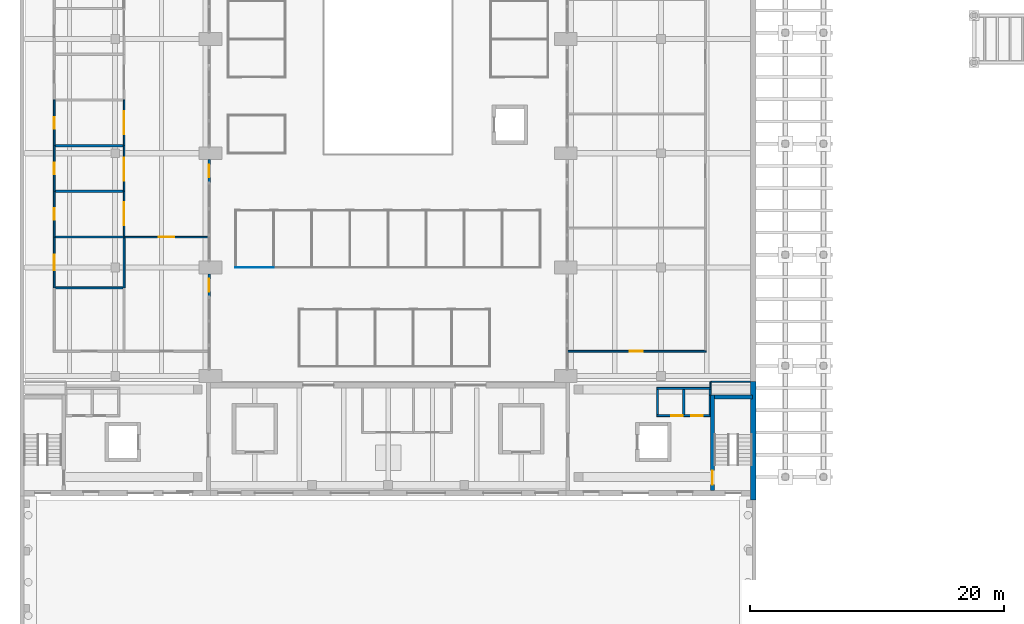
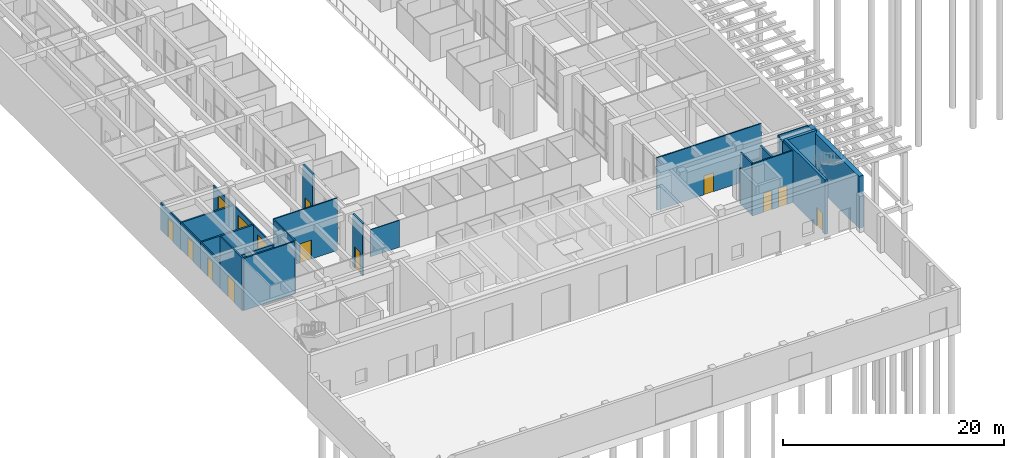
# One storey, part 30 of 51: 28 walls, 14 doors, 14 openings.
"""IFC4 building model written with IfcOpenShell, lengths in metres."""

from ifc_helpers import new_model, si_unit, direction, frame, frame_2d, origin, place, context, subcontext, project, spatial, rectangle, extrude, material, layer, layer_set, type_object, element, fill, save


model = new_model("IFC4")

# Units and contexts
model_context = context("Model", 3, precision=1e-05, world=origin(), true_north=direction((0.0, 1.0)))
body_context = subcontext(model_context, "Body", "Model", "MODEL_VIEW")
ifc_project = project(units=[si_unit("LENGTHUNIT", "METRE"), si_unit("AREAUNIT", "SQUARE_METRE"), si_unit("VOLUMEUNIT", "CUBIC_METRE"), si_unit("PLANEANGLEUNIT", "RADIAN"), si_unit("MASSUNIT", "GRAM", prefix="KILO")], contexts=[model_context])

# Site, building, storey
site_placement = place(None, origin())
site = spatial("IfcSite", under=ifc_project, at=site_placement, CompositionType="ELEMENT")
building_placement = place(site_placement, origin())
building = spatial("IfcBuilding", under=site, at=building_placement, Name="Elmora Arch Market Hall", CompositionType="ELEMENT")
storey_placement = place(building_placement, origin())
storey = spatial("IfcBuildingStorey", under=building, at=storey_placement, Name="L00", CompositionType="ELEMENT", Elevation=0.0)

# Wall
ifc_material_1 = material(Name="Blockwork", Category="masonry")
ifc_layer_1 = layer(ifc_material_1, 0.10009765625)
ifc_layer_set_1 = layer_set([ifc_layer_1], Name="Blockwork")
wall_type_1 = type_object("IfcWallType", Name="Blockwork partition 100 EI 120", PredefinedType="PARTITIONING", material=ifc_layer_set_1)
wall_1_placement = place(storey_placement, frame((54.35009765625, 24.39990234375, 0.0), z_axis=(0.0, 0.0, 1.0), x_axis=(0.0, 1.0, 0.0)))
element("IfcWall", 1, at=wall_1_placement, inside=storey, type_object=wall_type_1, Name="Riser wall L00 33", PredefinedType="PARTITIONING", context=body_context, shape_type="SweptSolid", body=[
    extrude(rectangle(XDim=1.550048828125, YDim=0.10009765625, at=frame_2d((0.77490234375, 0.0))), origin(), (0.0, 0.0, 1.0), 5.75),
])

# Wall, openings, doors
ifc_material_2 = material(Name="Blockwork", Category="masonry")
ifc_layer_2 = layer(ifc_material_2, 0.14990234375)
ifc_layer_set_2 = layer_set([ifc_layer_2], Name="Blockwork")
wall_type_2 = type_object("IfcWallType", Name="Blockwork partition 150 EI 120", PredefinedType="PARTITIONING", material=ifc_layer_set_2)
wall_2_placement = place(storey_placement, frame((50.14990234375, 24.324951171875, 0.0), z_axis=(0.0, 0.0, 1.0), x_axis=(1.0, 0.0, 0.0)))
wall_2 = element("IfcWall", 2, at=wall_2_placement, inside=storey, type_object=wall_type_2, Name="Riser wall L00 29", PredefinedType="PARTITIONING", context=body_context, shape_type="SweptSolid", body=[
    extrude(rectangle(XDim=4.25, YDim=0.14990234375, at=frame_2d((2.125, 0.0))), origin(), (0.0, 0.0, 1.0), 5.75),
])
opening_1_placement = place(wall_2_placement, frame((1.14990234375, 0.0, 0.0)))
opening_1 = element("IfcOpeningElement", 3, at=opening_1_placement, cuts=wall_2, Name="Opening D-L00-007", PredefinedType="OPENING", context=body_context, shape_type="SweptSolid", body=[
    extrude(rectangle(XDim=0.89990234375, YDim=2.10009765625, at=frame_2d((0.449951171875, 1.050048828125))), frame((0.0, 0.0849609375, 0.0), z_axis=(0.0, -1.0, 0.0), x_axis=(1.0, 0.0, 0.0)), (0.0, 0.0, 1.0), 0.169921875),
])
opening_2_placement = place(wall_2_placement, frame((2.75, 0.0, 0.0)))
opening_2 = element("IfcOpeningElement", 4, at=opening_2_placement, cuts=wall_2, Name="Opening D-L00-008", PredefinedType="OPENING", context=body_context, shape_type="SweptSolid", body=[
    extrude(rectangle(XDim=0.89990234375, YDim=2.10009765625, at=frame_2d((0.449951171875, 1.050048828125))), frame((0.0, 0.0849609375, 0.0), z_axis=(0.0, -1.0, 0.0), x_axis=(1.0, 0.0, 0.0)), (0.0, 0.0, 1.0), 0.169921875),
])
ifc_material_3 = material(Name="Steel ASTM A653 galvanised", Category="steel")
door_type_1 = type_object("IfcDoorType", Name="Door 900 x 2100 FD90", OperationType="SINGLE_SWING_LEFT", PredefinedType="DOOR", material=ifc_material_3)
door_1_placement = place(opening_1_placement, origin())
door_1 = element("IfcDoor", 5, at=door_1_placement, inside=storey, type_object=door_type_1, Name="Riser access door D-L00-007", OperationType="SINGLE_SWING_RIGHT", OverallHeight=2.10009765625, OverallWidth=0.89990234375, PredefinedType="DOOR", context=body_context, shape_type="SweptSolid", body=[
    extrude(rectangle(XDim=0.89990234375, YDim=2.10009765625, at=frame_2d((0.449951171875, 1.050048828125))), frame((0.0, 0.02490234375, 0.0), z_axis=(0.0, -1.0, 0.0), x_axis=(1.0, 0.0, 0.0)), (0.0, 0.0, 1.0), 0.050048828125),
])
fill(opening_1, door_1)
door_2_placement = place(opening_2_placement, origin())
door_2 = element("IfcDoor", 6, at=door_2_placement, inside=storey, type_object=door_type_1, Name="Riser access door D-L00-008", OperationType="SINGLE_SWING_LEFT", OverallHeight=2.10009765625, OverallWidth=0.89990234375, PredefinedType="DOOR", context=body_context, shape_type="SweptSolid", body=[
    extrude(rectangle(XDim=0.89990234375, YDim=2.10009765625, at=frame_2d((0.449951171875, 1.050048828125))), frame((0.0, 0.02490234375, 0.0), z_axis=(0.0, -1.0, 0.0), x_axis=(1.0, 0.0, 0.0)), (0.0, 0.0, 1.0), 0.050048828125),
])
fill(opening_2, door_2)

# Walls
wall_3_placement = place(storey_placement, frame((50.22509765625, 24.39990234375, 0.0), z_axis=(0.0, 0.0, 1.0), x_axis=(0.0, 1.0, 0.0)))
element("IfcWall", 7, at=wall_3_placement, inside=storey, type_object=wall_type_2, Name="Riser wall L00 30", PredefinedType="PARTITIONING", context=body_context, shape_type="SweptSolid", body=[
    extrude(rectangle(XDim=2.0, YDim=0.14990234375, at=frame_2d((1.0, 0.0))), origin(), (0.0, 0.0, 1.0), 5.75),
])
wall_4_placement = place(storey_placement, frame((50.14990234375, 26.47509765625, 0.0), z_axis=(0.0, 0.0, 1.0), x_axis=(1.0, 0.0, 0.0)))
element("IfcWall", 8, at=wall_4_placement, inside=storey, type_object=wall_type_2, Name="Riser wall L00 31", PredefinedType="PARTITIONING", context=body_context, shape_type="SweptSolid", body=[
    extrude(rectangle(XDim=4.300048828125, YDim=0.14990234375, at=frame_2d((2.14990234375, 0.0))), origin(), (0.0, 0.0, 1.0), 4.35009765625),
])
wall_5_placement = place(storey_placement, frame((54.375, 25.949951171875, 0.0), z_axis=(0.0, 0.0, 1.0), x_axis=(0.0, 1.0, 0.0)))
element("IfcWall", 9, at=wall_5_placement, inside=storey, type_object=wall_type_2, Name="Riser wall L00 34", PredefinedType="PARTITIONING", context=body_context, shape_type="SweptSolid", body=[
    extrude(rectangle(XDim=0.449951171875, YDim=0.14990234375, at=frame_2d((0.22509765625, 0.0))), origin(), (0.0, 0.0, 1.0), 5.75),
])
ifc_material_4 = material(Name="Blockwork", Category="masonry")
ifc_layer_3 = layer(ifc_material_4, 0.199951171875)
ifc_layer_set_3 = layer_set([ifc_layer_3], Name="Blockwork")
wall_type_3 = type_object("IfcWallType", Name="Blockwork partition 200 EI 120", PredefinedType="PARTITIONING", material=ifc_layer_set_3)
wall_6_placement = place(storey_placement, frame((52.300048828125, 24.39990234375, 0.0), z_axis=(0.0, 0.0, 1.0), x_axis=(0.0, 1.0, 0.0)))
element("IfcWall", 10, at=wall_6_placement, inside=storey, type_object=wall_type_3, Name="Riser wall L00 32", PredefinedType="PARTITIONING", context=body_context, shape_type="SweptSolid", body=[
    extrude(rectangle(XDim=2.0, YDim=0.199951171875, at=frame_2d((1.0, 0.0))), origin(), (0.0, 0.0, 1.0), 5.75),
])
ifc_material_5 = material(Name="Concrete C40/50", Category="concrete")
ifc_layer_4 = layer(ifc_material_5, 0.449951171875)
ifc_layer_set_4 = layer_set([ifc_layer_4], Name="Concrete C40/50")
wall_type_4 = type_object("IfcWallType", Name="Board-marked concrete wall 450", PredefinedType="SOLIDWALL", material=ifc_layer_set_4)
wall_7_placement = place(storey_placement, frame((57.77490234375, 27.0, 0.0), z_axis=(0.0, 0.0, 1.0), x_axis=(0.0, -1.0, 0.0)))
element("IfcWall", 11, at=wall_7_placement, inside=storey, type_object=wall_type_4, Name="Facade wall east SE L00", PredefinedType="SOLIDWALL", context=body_context, shape_type="SweptSolid", body=[
    extrude(rectangle(XDim=9.300048828125, YDim=0.449951171875, at=frame_2d((4.64990234375, 0.0))), origin(), (0.0, 0.0, 1.0), 5.75),
])
ifc_material_6 = material(Name="Insulated metal panel")
ifc_layer_5 = layer(ifc_material_6, 0.14990234375)
ifc_layer_set_5 = layer_set([ifc_layer_5], Name="Insulated metal panel")
wall_type_5 = type_object("IfcWallType", Name="Cold store panel 150 EI 60", PredefinedType="PARTITIONING", material=ifc_layer_set_5)
wall_8_placement = place(storey_placement, frame((2.77490234375, 34.39990234375, 0.0), z_axis=(0.0, 0.0, 1.0), x_axis=(1.0, 0.0, 0.0)))
element("IfcWall", 12, at=wall_8_placement, inside=storey, type_object=wall_type_5, Name="Partition PT-L00-018", PredefinedType="PARTITIONING", context=body_context, shape_type="SweptSolid", body=[
    extrude(rectangle(XDim=5.337646484375, YDim=0.14990234375, at=frame_2d((2.6689453125, 0.0))), origin(), (0.0, 0.0, 1.0), 5.800048828125),
])

# Wall, opening, door
wall_9_placement = place(storey_placement, frame((2.699951171875, 34.39990234375, 0.0), z_axis=(0.0, 0.0, 1.0), x_axis=(0.0, 1.0, 0.0)))
wall_9 = element("IfcWall", 13, at=wall_9_placement, inside=storey, type_object=wall_type_5, Name="Partition PT-L00-131", PredefinedType="PARTITIONING", context=body_context, shape_type="SweptSolid", body=[
    extrude(rectangle(XDim=4.0, YDim=0.14990234375, at=frame_2d((2.0, 0.0))), origin(), (0.0, 0.0, 1.0), 5.800048828125),
])
opening_3_placement = place(wall_9_placement, frame((1.39990234375, 0.0, 0.0)))
opening_3 = element("IfcOpeningElement", 14, at=opening_3_placement, cuts=wall_9, Name="Opening D-L00-017", PredefinedType="OPENING", context=body_context, shape_type="SweptSolid", body=[
    extrude(rectangle(XDim=1.199951171875, YDim=2.39990234375, at=frame_2d((0.60009765625, 1.199951171875))), frame((0.0, 0.0849609375, 0.0), z_axis=(0.0, -1.0, 0.0), x_axis=(1.0, 0.0, 0.0)), (0.0, 0.0, 1.0), 0.169921875),
])
ifc_material_7 = material(Name="Insulated door panel")
door_type_2 = type_object("IfcDoorType", Name="Cold store door 1200 x 2400 FD45", OperationType="SLIDING_TO_LEFT", PredefinedType="DOOR", material=ifc_material_7)
door_3_placement = place(opening_3_placement, origin())
door_3 = element("IfcDoor", 15, at=door_3_placement, inside=storey, type_object=door_type_2, Name="D-L00-017", OperationType="SLIDING_TO_LEFT", OverallHeight=2.39990234375, OverallWidth=1.199951171875, PredefinedType="DOOR", context=body_context, shape_type="SweptSolid", body=[
    extrude(rectangle(XDim=1.199951171875, YDim=2.39990234375, at=frame_2d((0.60009765625, 1.199951171875))), frame((0.0, 0.02490234375, 0.0), z_axis=(0.0, -1.0, 0.0), x_axis=(1.0, 0.0, 0.0)), (0.0, 0.0, 1.0), 0.050048828125),
])
fill(opening_3, door_3)

# Wall
wall_10_placement = place(storey_placement, frame((8.199951171875, 34.39990234375, 0.0), z_axis=(0.0, 0.0, 1.0), x_axis=(0.0, 1.0, 0.0)))
element("IfcWall", 16, at=wall_10_placement, inside=storey, type_object=wall_type_5, Name="Partition PT-L00-150", PredefinedType="PARTITIONING", context=body_context, shape_type="SweptSolid", body=[
    extrude(rectangle(XDim=3.925048828125, YDim=0.14990234375, at=frame_2d((1.96240234375, 0.0))), origin(), (0.0, 0.0, 1.0), 5.800048828125),
])

# Wall, opening, door
ifc_material_8 = material(Name="Concrete C40/50", Category="concrete")
ifc_layer_6 = layer(ifc_material_8, 0.199951171875)
ifc_layer_set_6 = layer_set([ifc_layer_6], Name="Concrete C40/50")
wall_type_6 = type_object("IfcWallType", Name="Concrete shopfront pier 200", PredefinedType="PARTITIONING", material=ifc_layer_set_6)
wall_11_placement = place(storey_placement, frame((14.89990234375, 35.5, 0.0), z_axis=(0.0, 0.0, 1.0), x_axis=(0.0, -1.0, 0.0)))
wall_11 = element("IfcWall", 17, at=wall_11_placement, inside=storey, type_object=wall_type_6, Name="Shopfront pier W 1", PredefinedType="PARTITIONING", context=body_context, shape_type="SweptSolid", body=[
    extrude(rectangle(XDim=1.800048828125, YDim=0.199951171875, at=frame_2d((0.89990234375, 0.0))), origin(), (0.0, 0.0, 1.0), 5.800048828125),
])
opening_4_placement = place(wall_11_placement, frame((0.39990234375, 0.0, 0.0)))
opening_4 = element("IfcOpeningElement", 18, at=opening_4_placement, cuts=wall_11, Name="Opening SD-W01", PredefinedType="OPENING", context=body_context, shape_type="SweptSolid", body=[
    extrude(rectangle(XDim=1.0, YDim=2.39990234375, at=frame_2d((0.5, 1.199951171875))), frame((0.0, 0.10986328125, 0.0), z_axis=(0.0, -1.0, 0.0), x_axis=(1.0, 0.0, 0.0)), (0.0, 0.0, 1.0), 0.219970703125),
])
ifc_material_9 = material(Name="Glazed aluminium", Category="aluminium")
door_type_3 = type_object("IfcDoorType", Name="Shop door 1000x2400", OperationType="SINGLE_SWING_LEFT", PredefinedType="DOOR", material=ifc_material_9)
door_4_placement = place(opening_4_placement, frame((1.0, 0.0, 0.0), z_axis=(0.0, 0.0, 1.0), x_axis=(-1.0, 0.0, 0.0)))
door_4 = element("IfcDoor", 19, at=door_4_placement, inside=storey, type_object=door_type_3, Name="Shop door W01", OperationType="SINGLE_SWING_RIGHT", OverallHeight=2.39990234375, OverallWidth=1.0, PredefinedType="DOOR", context=body_context, shape_type="SweptSolid", body=[
    extrude(rectangle(XDim=1.0, YDim=2.39990234375, at=frame_2d((0.5, 1.199951171875))), frame((0.0, 0.02490234375, 0.0), z_axis=(0.0, -1.0, 0.0), x_axis=(1.0, 0.0, 0.0)), (0.0, 0.0, 1.0), 0.050048828125),
])
fill(opening_4, door_4)

wall_12_placement = place(storey_placement, frame((14.89990234375, 44.5, 0.0), z_axis=(0.0, 0.0, 1.0), x_axis=(0.0, -1.0, 0.0)))
wall_12 = element("IfcWall", 20, at=wall_12_placement, inside=storey, type_object=wall_type_6, Name="Shopfront pier W 2", PredefinedType="PARTITIONING", context=body_context, shape_type="SweptSolid", body=[
    extrude(rectangle(XDim=1.800048828125, YDim=0.199951171875, at=frame_2d((0.89990234375, 0.0))), origin(), (0.0, 0.0, 1.0), 5.800048828125),
])
opening_5_placement = place(wall_12_placement, frame((0.39990234375, 0.0, 0.0)))
opening_5 = element("IfcOpeningElement", 21, at=opening_5_placement, cuts=wall_12, Name="Opening SD-W02", PredefinedType="OPENING", context=body_context, shape_type="SweptSolid", body=[
    extrude(rectangle(XDim=1.0, YDim=2.39990234375, at=frame_2d((0.5, 1.199951171875))), frame((0.0, 0.10986328125, 0.0), z_axis=(0.0, -1.0, 0.0), x_axis=(1.0, 0.0, 0.0)), (0.0, 0.0, 1.0), 0.219970703125),
])
door_5_placement = place(opening_5_placement, origin())
door_5 = element("IfcDoor", 22, at=door_5_placement, inside=storey, type_object=door_type_3, Name="Shop door W02", OperationType="SINGLE_SWING_LEFT", OverallHeight=2.39990234375, OverallWidth=1.0, PredefinedType="DOOR", context=body_context, shape_type="SweptSolid", body=[
    extrude(rectangle(XDim=1.0, YDim=2.39990234375, at=frame_2d((0.5, 1.199951171875))), frame((0.0, 0.02490234375, 0.0), z_axis=(0.0, -1.0, 0.0), x_axis=(1.0, 0.0, 0.0)), (0.0, 0.0, 1.0), 0.050048828125),
])
fill(opening_5, door_5)

ifc_material_10 = material(Name="Gypsum board on metal studs")
ifc_layer_7 = layer(ifc_material_10, 0.125)
ifc_layer_set_7 = layer_set([ifc_layer_7], Name="Gypsum board on metal studs")
wall_type_7 = type_object("IfcWallType", Name="Enclosure partition 125 (3.0 m) EI 60", PredefinedType="PARTITIONING", material=ifc_layer_set_7)
wall_13_placement = place(storey_placement, frame((2.699951171875, 38.39990234375, 0.0), z_axis=(0.0, 0.0, 1.0), x_axis=(0.0, 1.0, 0.0)))
wall_13 = element("IfcWall", 23, at=wall_13_placement, inside=storey, type_object=wall_type_7, Name="Partition PT-L00-132", PredefinedType="PARTITIONING", context=body_context, shape_type="SweptSolid", body=[
    extrude(rectangle(XDim=3.60009765625, YDim=0.125, at=frame_2d((1.800048828125, 0.0))), origin(), (0.0, 0.0, 1.0), 3.0),
])
opening_6_placement = place(wall_13_placement, frame((1.35009765625, 0.0, 0.0)))
opening_6 = element("IfcOpeningElement", 24, at=opening_6_placement, cuts=wall_13, Name="Opening D-L00-019", PredefinedType="OPENING", context=body_context, shape_type="SweptSolid", body=[
    extrude(rectangle(XDim=0.89990234375, YDim=2.10009765625, at=frame_2d((0.449951171875, 1.050048828125))), frame((0.0, 0.072509765625, 0.0), z_axis=(0.0, -1.0, 0.0), x_axis=(1.0, 0.0, 0.0)), (0.0, 0.0, 1.0), 0.14501953125),
])
ifc_material_11 = material(Name="Steel ASTM A653 galvanised", Category="steel")
door_type_4 = type_object("IfcDoorType", Name="Door 900 x 2100 FD45", OperationType="SINGLE_SWING_LEFT", PredefinedType="DOOR", material=ifc_material_11)
door_6_placement = place(opening_6_placement, frame((0.89990234375, 0.0, 0.0), z_axis=(0.0, 0.0, 1.0), x_axis=(-1.0, 0.0, 0.0)))
door_6 = element("IfcDoor", 25, at=door_6_placement, inside=storey, type_object=door_type_4, Name="D-L00-019", OperationType="SINGLE_SWING_LEFT", OverallHeight=2.10009765625, OverallWidth=0.89990234375, PredefinedType="DOOR", context=body_context, shape_type="SweptSolid", body=[
    extrude(rectangle(XDim=0.89990234375, YDim=2.10009765625, at=frame_2d((0.449951171875, 1.050048828125))), frame((0.0, 0.02490234375, 0.0), z_axis=(0.0, -1.0, 0.0), x_axis=(1.0, 0.0, 0.0)), (0.0, 0.0, 1.0), 0.050048828125),
])
fill(opening_6, door_6)

wall_14_placement = place(storey_placement, frame((2.699951171875, 42.0, 0.0), z_axis=(0.0, 0.0, 1.0), x_axis=(0.0, 1.0, 0.0)))
wall_14 = element("IfcWall", 26, at=wall_14_placement, inside=storey, type_object=wall_type_7, Name="Partition PT-L00-133", PredefinedType="PARTITIONING", context=body_context, shape_type="SweptSolid", body=[
    extrude(rectangle(XDim=3.60009765625, YDim=0.125, at=frame_2d((1.800048828125, 0.0))), origin(), (0.0, 0.0, 1.0), 3.0),
])
opening_7_placement = place(wall_14_placement, frame((1.35009765625, 0.0, 0.0)))
opening_7 = element("IfcOpeningElement", 27, at=opening_7_placement, cuts=wall_14, Name="Opening D-L00-030", PredefinedType="OPENING", context=body_context, shape_type="SweptSolid", body=[
    extrude(rectangle(XDim=0.89990234375, YDim=2.10009765625, at=frame_2d((0.449951171875, 1.050048828125))), frame((0.0, 0.072509765625, 0.0), z_axis=(0.0, -1.0, 0.0), x_axis=(1.0, 0.0, 0.0)), (0.0, 0.0, 1.0), 0.14501953125),
])
door_7_placement = place(opening_7_placement, frame((0.89990234375, 0.0, 0.0), z_axis=(0.0, 0.0, 1.0), x_axis=(-1.0, 0.0, 0.0)))
door_7 = element("IfcDoor", 28, at=door_7_placement, inside=storey, type_object=door_type_4, Name="D-L00-030", OperationType="SINGLE_SWING_RIGHT", OverallHeight=2.10009765625, OverallWidth=0.89990234375, PredefinedType="DOOR", context=body_context, shape_type="SweptSolid", body=[
    extrude(rectangle(XDim=0.89990234375, YDim=2.10009765625, at=frame_2d((0.449951171875, 1.050048828125))), frame((0.0, 0.02490234375, 0.0), z_axis=(0.0, -1.0, 0.0), x_axis=(1.0, 0.0, 0.0)), (0.0, 0.0, 1.0), 0.050048828125),
])
fill(opening_7, door_7)

wall_15_placement = place(storey_placement, frame((2.699951171875, 45.60009765625, 0.0), z_axis=(0.0, 0.0, 1.0), x_axis=(0.0, 1.0, 0.0)))
wall_15 = element("IfcWall", 29, at=wall_15_placement, inside=storey, type_object=wall_type_7, Name="Partition PT-L00-134", PredefinedType="PARTITIONING", context=body_context, shape_type="SweptSolid", body=[
    extrude(rectangle(XDim=3.599853515625, YDim=0.125, at=frame_2d((1.7998046875, 0.0))), origin(), (0.0, 0.0, 1.0), 3.0),
])
opening_8_placement = place(wall_15_placement, frame((1.35009765625, 0.0, 0.0)))
opening_8 = element("IfcOpeningElement", 30, at=opening_8_placement, cuts=wall_15, Name="Opening D-L00-032", PredefinedType="OPENING", context=body_context, shape_type="SweptSolid", body=[
    extrude(rectangle(XDim=0.89990234375, YDim=2.10009765625, at=frame_2d((0.449951171875, 1.050048828125))), frame((0.0, 0.072509765625, 0.0), z_axis=(0.0, -1.0, 0.0), x_axis=(1.0, 0.0, 0.0)), (0.0, 0.0, 1.0), 0.14501953125),
])
door_8_placement = place(opening_8_placement, frame((0.89990234375, 0.0, 0.0), z_axis=(0.0, 0.0, 1.0), x_axis=(-1.0, 0.0, 0.0)))
door_8 = element("IfcDoor", 31, at=door_8_placement, inside=storey, type_object=door_type_4, Name="D-L00-032", OperationType="SINGLE_SWING_RIGHT", OverallHeight=2.10009765625, OverallWidth=0.89990234375, PredefinedType="DOOR", context=body_context, shape_type="SweptSolid", body=[
    extrude(rectangle(XDim=0.89990234375, YDim=2.10009765625, at=frame_2d((0.449951171875, 1.050048828125))), frame((0.0, 0.02490234375, 0.0), z_axis=(0.0, -1.0, 0.0), x_axis=(1.0, 0.0, 0.0)), (0.0, 0.0, 1.0), 0.050048828125),
])
fill(opening_8, door_8)

wall_16_placement = place(storey_placement, frame((8.199951171875, 38.47509765625, 0.0), z_axis=(0.0, 0.0, 1.0), x_axis=(0.0, 1.0, 0.0)))
wall_16 = element("IfcWall", 32, at=wall_16_placement, inside=storey, type_object=wall_type_7, Name="Partition PT-L00-151", PredefinedType="PARTITIONING", context=body_context, shape_type="SweptSolid", body=[
    extrude(rectangle(XDim=3.52490234375, YDim=0.125, at=frame_2d((1.762451171875, 0.0))), origin(), (0.0, 0.0, 1.0), 3.0),
])
opening_9_placement = place(wall_16_placement, frame((0.85009765625, 0.0, 0.0)))
opening_9 = element("IfcOpeningElement", 33, at=opening_9_placement, cuts=wall_16, Name="Opening D-L00-020", PredefinedType="OPENING", context=body_context, shape_type="SweptSolid", body=[
    extrude(rectangle(XDim=1.800048828125, YDim=2.39990234375, at=frame_2d((0.89990234375, 1.199951171875))), frame((0.0, 0.072509765625, 0.0), z_axis=(0.0, -1.0, 0.0), x_axis=(1.0, 0.0, 0.0)), (0.0, 0.0, 1.0), 0.14501953125),
])
ifc_material_12 = material(Name="Aluminium roller shutter", Category="aluminium")
door_type_5 = type_object("IfcDoorType", Name="Roller shutter 1800 x 2400", OperationType="ROLLINGUP", PredefinedType="DOOR", material=ifc_material_12)
door_9_placement = place(opening_9_placement, origin())
door_9 = element("IfcDoor", 34, at=door_9_placement, inside=storey, type_object=door_type_5, Name="D-L00-020", OperationType="ROLLINGUP", OverallHeight=2.39990234375, OverallWidth=1.800048828125, PredefinedType="DOOR", context=body_context, shape_type="SweptSolid", body=[
    extrude(rectangle(XDim=1.800048828125, YDim=2.39990234375, at=frame_2d((0.89990234375, 1.199951171875))), frame((0.0, 0.02490234375, 0.0), z_axis=(0.0, -1.0, 0.0), x_axis=(1.0, 0.0, 0.0)), (0.0, 0.0, 1.0), 0.050048828125),
])
fill(opening_9, door_9)

wall_17_placement = place(storey_placement, frame((8.199951171875, 42.0, 0.0), z_axis=(0.0, 0.0, 1.0), x_axis=(0.0, 1.0, 0.0)))
wall_17 = element("IfcWall", 35, at=wall_17_placement, inside=storey, type_object=wall_type_7, Name="Partition PT-L00-152", PredefinedType="PARTITIONING", context=body_context, shape_type="SweptSolid", body=[
    extrude(rectangle(XDim=3.60009765625, YDim=0.125, at=frame_2d((1.800048828125, 0.0))), origin(), (0.0, 0.0, 1.0), 3.0),
])
opening_10_placement = place(wall_17_placement, frame((0.85009765625, 0.0, 0.0)))
opening_10 = element("IfcOpeningElement", 36, at=opening_10_placement, cuts=wall_17, Name="Opening D-L00-031", PredefinedType="OPENING", context=body_context, shape_type="SweptSolid", body=[
    extrude(rectangle(XDim=1.800048828125, YDim=2.39990234375, at=frame_2d((0.89990234375, 1.199951171875))), frame((0.0, 0.072509765625, 0.0), z_axis=(0.0, -1.0, 0.0), x_axis=(1.0, 0.0, 0.0)), (0.0, 0.0, 1.0), 0.14501953125),
])
door_10_placement = place(opening_10_placement, origin())
door_10 = element("IfcDoor", 37, at=door_10_placement, inside=storey, type_object=door_type_5, Name="D-L00-031", OperationType="ROLLINGUP", OverallHeight=2.39990234375, OverallWidth=1.800048828125, PredefinedType="DOOR", context=body_context, shape_type="SweptSolid", body=[
    extrude(rectangle(XDim=1.800048828125, YDim=2.39990234375, at=frame_2d((0.89990234375, 1.199951171875))), frame((0.0, 0.02490234375, 0.0), z_axis=(0.0, -1.0, 0.0), x_axis=(1.0, 0.0, 0.0)), (0.0, 0.0, 1.0), 0.050048828125),
])
fill(opening_10, door_10)

wall_18_placement = place(storey_placement, frame((8.199951171875, 45.60009765625, 0.0), z_axis=(0.0, 0.0, 1.0), x_axis=(0.0, 1.0, 0.0)))
wall_18 = element("IfcWall", 38, at=wall_18_placement, inside=storey, type_object=wall_type_7, Name="Partition PT-L00-153", PredefinedType="PARTITIONING", context=body_context, shape_type="SweptSolid", body=[
    extrude(rectangle(XDim=3.599853515625, YDim=0.125, at=frame_2d((1.7998046875, 0.0))), origin(), (0.0, 0.0, 1.0), 3.0),
])
opening_11_placement = place(wall_18_placement, frame((0.89990234375, 0.0, 0.0)))
opening_11 = element("IfcOpeningElement", 39, at=opening_11_placement, cuts=wall_18, Name="Opening D-L00-033", PredefinedType="OPENING", context=body_context, shape_type="SweptSolid", body=[
    extrude(rectangle(XDim=1.800048828125, YDim=2.39990234375, at=frame_2d((0.89990234375, 1.199951171875))), frame((0.0, 0.072509765625, 0.0), z_axis=(0.0, -1.0, 0.0), x_axis=(1.0, 0.0, 0.0)), (0.0, 0.0, 1.0), 0.14501953125),
])
door_11_placement = place(opening_11_placement, origin())
door_11 = element("IfcDoor", 40, at=door_11_placement, inside=storey, type_object=door_type_5, Name="D-L00-033", OperationType="ROLLINGUP", OverallHeight=2.39990234375, OverallWidth=1.800048828125, PredefinedType="DOOR", context=body_context, shape_type="SweptSolid", body=[
    extrude(rectangle(XDim=1.800048828125, YDim=2.39990234375, at=frame_2d((0.89990234375, 1.199951171875))), frame((0.0, 0.02490234375, 0.0), z_axis=(0.0, -1.0, 0.0), x_axis=(1.0, 0.0, 0.0)), (0.0, 0.0, 1.0), 0.050048828125),
])
fill(opening_11, door_11)

# Walls
ifc_material_13 = material(Name="Gypsum board on metal studs")
ifc_layer_8 = layer(ifc_material_13, 0.14990234375)
ifc_layer_set_8 = layer_set([ifc_layer_8], Name="Gypsum board on metal studs")
wall_type_8 = type_object("IfcWallType", Name="Enclosure partition 150 (3.0 m) EI 60", PredefinedType="PARTITIONING", material=ifc_layer_set_8)
wall_19_placement = place(storey_placement, frame((2.77490234375, 38.39990234375, 0.0), z_axis=(0.0, 0.0, 1.0), x_axis=(1.0, 0.0, 0.0)))
element("IfcWall", 41, at=wall_19_placement, inside=storey, type_object=wall_type_8, Name="Partition PT-L00-027", PredefinedType="PARTITIONING", context=body_context, shape_type="SweptSolid", body=[
    extrude(rectangle(XDim=5.425048828125, YDim=0.14990234375, at=frame_2d((2.71240234375, 0.0))), origin(), (0.0, 0.0, 1.0), 3.0),
])
ifc_material_14 = material(Name="Gypsum board on metal studs")
ifc_layer_9 = layer(ifc_material_14, 0.175048828125)
ifc_layer_set_9 = layer_set([ifc_layer_9], Name="Gypsum board on metal studs")
wall_type_9 = type_object("IfcWallType", Name="Enclosure partition 175 (3.0 m) EI 60", PredefinedType="PARTITIONING", material=ifc_layer_set_9)
for number, where, z_axis, x_axis, name in (
    (42, (2.762451171875, 42.0, 0.0), (0.0, 0.0, 1.0), (1.0, 0.0, 0.0), "Partition PT-L00-038"),
    (43, (2.762451171875, 45.60009765625, 0.0), (0.0, 0.0, 1.0), (1.0, 0.0, 0.0), "Partition PT-L00-041"),
):
    element("IfcWall", number, at=place(storey_placement, frame(where, z_axis=z_axis, x_axis=x_axis)), inside=storey, type_object=wall_type_9, Name=name, PredefinedType="PARTITIONING", context=body_context, shape_type="SweptSolid", body=[
        extrude(rectangle(XDim=5.375, YDim=0.175048828125, at=frame_2d((2.6875, 0.0))), origin(), (0.0, 0.0, 1.0), 3.0),
    ])
ifc_material_15 = material(Name="Gypsum board on metal studs")
ifc_layer_10 = layer(ifc_material_15, 0.10009765625)
ifc_layer_set_10 = layer_set([ifc_layer_10], Name="Gypsum board on metal studs")
wall_type_10 = type_object("IfcWallType", Name="Partition 100", PredefinedType="PARTITIONING", material=ifc_layer_set_10)
wall_20_placement = place(storey_placement, frame((54.409912109375, 27.0, 0.0), z_axis=(0.0, 0.0, 1.0), x_axis=(1.0, 0.0, 0.0)))
element("IfcWall", 44, at=wall_20_placement, inside=storey, type_object=wall_type_10, Name="Partition PT-L00-004", PredefinedType="PARTITIONING", context=body_context, shape_type="SweptSolid", body=[
    extrude(rectangle(XDim=3.14013671875, YDim=0.10009765625, at=frame_2d((1.570068359375, 0.0))), origin(), (0.0, 0.0, 1.0), 5.800048828125),
])
wall_21_placement = place(storey_placement, frame((54.39990234375, 26.550048828125, 0.0), z_axis=(0.0, 0.0, 1.0), x_axis=(0.0, 1.0, 0.0)))
element("IfcWall", 45, at=wall_21_placement, inside=storey, type_object=wall_type_10, Name="Partition PT-L00-242", PredefinedType="PARTITIONING", context=body_context, shape_type="SweptSolid", body=[
    extrude(rectangle(XDim=0.43994140625, YDim=0.10009765625, at=frame_2d((0.219970703125, 0.0))), origin(), (0.0, 0.0, 1.0), 5.75),
])

# Wall, opening, door
ifc_material_16 = material(Name="Gypsum board on metal studs")
ifc_layer_11 = layer(ifc_material_16, 0.125)
ifc_layer_set_11 = layer_set([ifc_layer_11], Name="Gypsum board on metal studs")
wall_type_11 = type_object("IfcWallType", Name="Partition 125 EI 60", PredefinedType="PARTITIONING", material=ifc_layer_set_11)
wall_22_placement = place(storey_placement, frame((43.10009765625, 29.39990234375, 0.0), z_axis=(0.0, 0.0, 1.0), x_axis=(1.0, 0.0, 0.0)))
wall_22 = element("IfcWall", 46, at=wall_22_placement, inside=storey, type_object=wall_type_11, Name="Partition PT-L00-012", PredefinedType="PARTITIONING", context=body_context, shape_type="SweptSolid", body=[
    extrude(rectangle(XDim=10.96240234375, YDim=0.125, at=frame_2d((5.481201171875, 0.0))), origin(), (0.0, 0.0, 1.0), 5.800048828125),
])
opening_12_placement = place(wall_22_placement, frame((4.949951171875, 0.0, 0.0)))
opening_12 = element("IfcOpeningElement", 47, at=opening_12_placement, cuts=wall_22, Name="Opening D-L00-011", PredefinedType="OPENING", context=body_context, shape_type="SweptSolid", body=[
    extrude(rectangle(XDim=1.0, YDim=2.10009765625, at=frame_2d((0.5, 1.050048828125))), frame((0.0, 0.072509765625, 0.0), z_axis=(0.0, -1.0, 0.0), x_axis=(1.0, 0.0, 0.0)), (0.0, 0.0, 1.0), 0.14501953125),
])
ifc_material_17 = material(Name="Steel ASTM A653 galvanised", Category="steel")
door_type_6 = type_object("IfcDoorType", Name="Door 1000 x 2100 FD45", OperationType="SINGLE_SWING_LEFT", PredefinedType="DOOR", material=ifc_material_17)
door_12_placement = place(opening_12_placement, origin())
door_12 = element("IfcDoor", 48, at=door_12_placement, inside=storey, type_object=door_type_6, Name="D-L00-011", OperationType="SINGLE_SWING_RIGHT", OverallHeight=2.10009765625, OverallWidth=1.0, PredefinedType="DOOR", context=body_context, shape_type="SweptSolid", body=[
    extrude(rectangle(XDim=1.0, YDim=2.10009765625, at=frame_2d((0.5, 1.050048828125))), frame((0.0, 0.02490234375, 0.0), z_axis=(0.0, -1.0, 0.0), x_axis=(1.0, 0.0, 0.0)), (0.0, 0.0, 1.0), 0.050048828125),
])
fill(opening_12, door_12)

wall_23_placement = place(storey_placement, frame((8.199951171875, 38.39990234375, 0.0), z_axis=(0.0, 0.0, 1.0), x_axis=(1.0, 0.0, 0.0)))
wall_23 = element("IfcWall", 49, at=wall_23_placement, inside=storey, type_object=wall_type_11, Name="Partition PT-L00-028", PredefinedType="PARTITIONING", context=body_context, shape_type="SweptSolid", body=[
    extrude(rectangle(XDim=6.699951171875, YDim=0.125, at=frame_2d((3.35009765625, 0.0))), origin(), (0.0, 0.0, 1.0), 5.800048828125),
])
opening_13_placement = place(wall_23_placement, frame((2.75, 0.0, 0.0)))
opening_13 = element("IfcOpeningElement", 50, at=opening_13_placement, cuts=wall_23, Name="Opening D-L00-018", PredefinedType="OPENING", context=body_context, shape_type="SweptSolid", body=[
    extrude(rectangle(XDim=1.199951171875, YDim=2.10009765625, at=frame_2d((0.60009765625, 1.050048828125))), frame((0.0, 0.072509765625, 0.0), z_axis=(0.0, -1.0, 0.0), x_axis=(1.0, 0.0, 0.0)), (0.0, 0.0, 1.0), 0.14501953125),
])
ifc_material_18 = material(Name="Steel ASTM A653 galvanised", Category="steel")
door_type_7 = type_object("IfcDoorType", Name="Door 1200 x 2100 FD45", OperationType="SINGLE_SWING_LEFT", PredefinedType="DOOR", material=ifc_material_18)
door_13_placement = place(opening_13_placement, frame((1.199951171875, 0.0, 0.0), z_axis=(0.0, 0.0, 1.0), x_axis=(-1.0, 0.0, 0.0)))
door_13 = element("IfcDoor", 51, at=door_13_placement, inside=storey, type_object=door_type_7, Name="D-L00-018", OperationType="SINGLE_SWING_RIGHT", OverallHeight=2.10009765625, OverallWidth=1.199951171875, PredefinedType="DOOR", context=body_context, shape_type="SweptSolid", body=[
    extrude(rectangle(XDim=1.199951171875, YDim=2.10009765625, at=frame_2d((0.60009765625, 1.050048828125))), frame((0.0, 0.02490234375, 0.0), z_axis=(0.0, -1.0, 0.0), x_axis=(1.0, 0.0, 0.0)), (0.0, 0.0, 1.0), 0.050048828125),
])
fill(opening_13, door_13)

# Wall
ifc_material_19 = material(Name="Concrete C40/50", Category="concrete")
ifc_layer_12 = layer(ifc_material_19, 0.300048828125)
ifc_layer_set_12 = layer_set([ifc_layer_12], Name="Concrete C40/50")
wall_type_12 = type_object("IfcWallType", Name="Stair wall 300", PredefinedType="SHEAR", material=ifc_layer_set_12)
wall_24_placement = place(storey_placement, frame((54.699951171875, 25.800048828125, 0.0), z_axis=(0.0, 0.0, 1.0), x_axis=(1.0, 0.0, 0.0)))
element("IfcWall", 52, at=wall_24_placement, inside=storey, type_object=wall_type_12, Name="Stair wall ST-ES N L00", PredefinedType="SHEAR", context=body_context, shape_type="SweptSolid", body=[
    extrude(rectangle(XDim=3.0, YDim=0.300048828125, at=frame_2d((1.5, 0.0))), origin(), (0.0, 0.0, 1.0), 6.0),
])

# Wall, opening, door
wall_25_placement = place(storey_placement, frame((54.550048828125, 18.449951171875, 0.0), z_axis=(0.0, 0.0, 1.0), x_axis=(0.0, 1.0, 0.0)))
wall_25 = element("IfcWall", 53, at=wall_25_placement, inside=storey, type_object=wall_type_12, Name="Stair wall ST-ES W L00", PredefinedType="SHEAR", context=body_context, shape_type="SweptSolid", body=[
    extrude(rectangle(XDim=7.5, YDim=0.300048828125, at=frame_2d((3.75, 0.0))), origin(), (0.0, 0.0, 1.0), 6.0),
])
opening_14_placement = place(wall_25_placement, frame((0.449951171875, 0.0, 0.0)))
opening_14 = element("IfcOpeningElement", 54, at=opening_14_placement, cuts=wall_25, Name="Opening ST-ES-L00", PredefinedType="OPENING", context=body_context, shape_type="SweptSolid", body=[
    extrude(rectangle(XDim=1.10009765625, YDim=2.10009765625, at=frame_2d((0.550048828125, 1.050048828125))), frame((0.0, 0.159912109375, 0.0), z_axis=(0.0, -1.0, 0.0), x_axis=(1.0, 0.0, 0.0)), (0.0, 0.0, 1.0), 0.320068359375),
])
ifc_material_20 = material(Name="Steel ASTM A653 galvanised", Category="steel")
door_type_8 = type_object("IfcDoorType", Name="Stair door 1100 x 2100 FD90", OperationType="SINGLE_SWING_LEFT", PredefinedType="DOOR", material=ifc_material_20)
door_14_placement = place(opening_14_placement, frame((1.10009765625, 0.0, 0.0), z_axis=(0.0, 0.0, 1.0), x_axis=(-1.0, 0.0, 0.0)))
door_14 = element("IfcDoor", 55, at=door_14_placement, inside=storey, type_object=door_type_8, Name="Stair door ST-ES L00", OperationType="SINGLE_SWING_RIGHT", OverallHeight=2.10009765625, OverallWidth=1.10009765625, PredefinedType="DOOR", context=body_context, shape_type="SweptSolid", body=[
    extrude(rectangle(XDim=1.10009765625, YDim=2.10009765625, at=frame_2d((0.550048828125, 1.050048828125))), frame((0.0, 0.02490234375, 0.0), z_axis=(0.0, -1.0, 0.0), x_axis=(1.0, 0.0, 0.0)), (0.0, 0.0, 1.0), 0.050048828125),
])
fill(opening_14, door_14)

# Wall
ifc_material_21 = material(Name="Gypsum board on metal studs")
ifc_layer_13 = layer(ifc_material_21, 0.074951171875)
ifc_layer_set_13 = layer_set([ifc_layer_13], Name="Gypsum board on metal studs")
wall_type_13 = type_object("IfcWallType", Name="Stall partition 75 (3.0 m)", PredefinedType="PARTITIONING", material=ifc_layer_set_13)
wall_26_placement = place(storey_placement, frame((16.96240234375, 36.0, 0.0), z_axis=(0.0, 0.0, 1.0), x_axis=(1.0, 0.0, 0.0)))
element("IfcWall", 56, at=wall_26_placement, inside=storey, type_object=wall_type_13, Name="Partition PT-L00-019", PredefinedType="PARTITIONING", context=body_context, shape_type="SweptSolid", body=[
    extrude(rectangle(XDim=3.03759765625, YDim=0.074951171875, at=frame_2d((1.518798828125, 0.0))), origin(), (0.0, 0.0, 1.0), 3.0),
])

save(model, "model.ifc")
